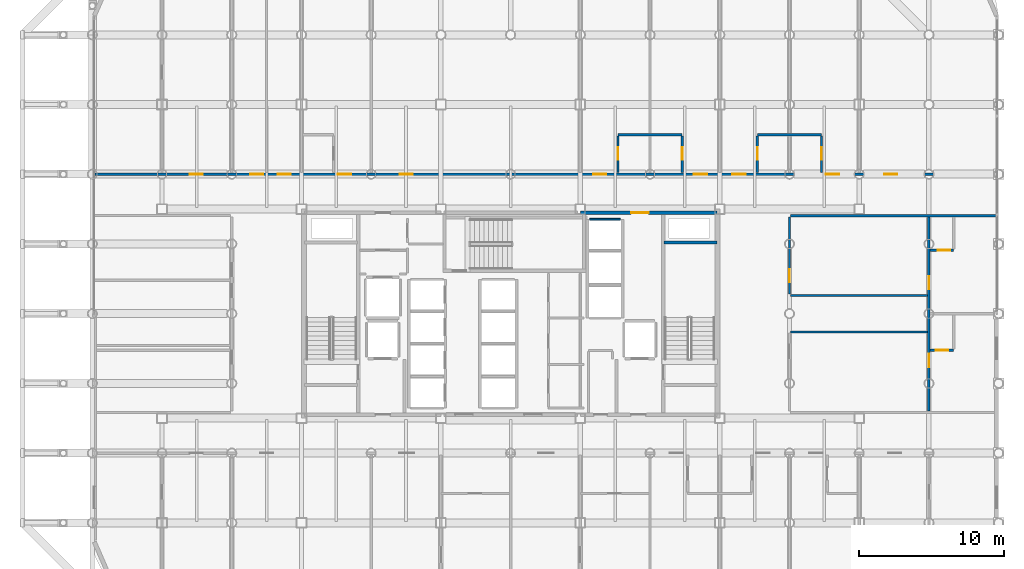
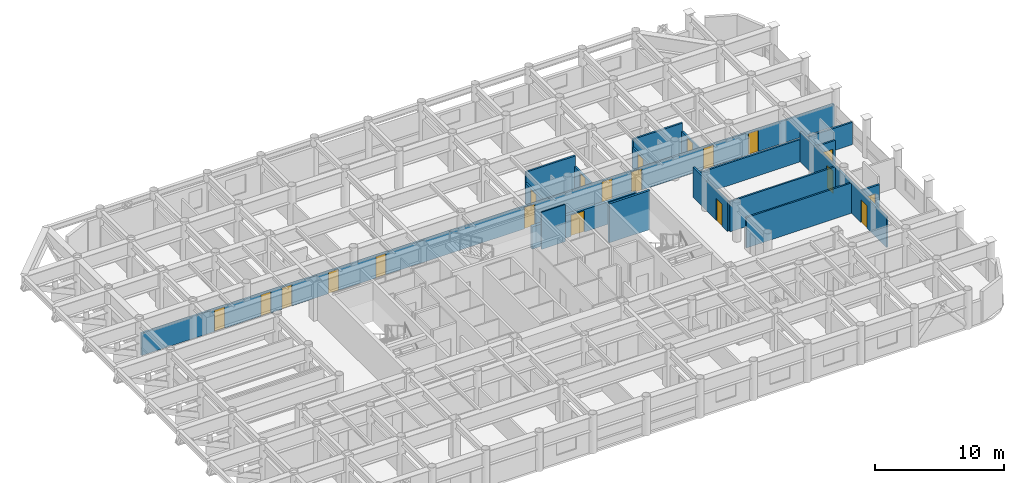
# One storey, part 21 of 23: 20 doors, 17 walls, 20 openings.
"""IFC4 building model written with IfcOpenShell, lengths in metres."""

from ifc_helpers import new_model, si_unit, direction, frame, frame_2d, origin, place, context, subcontext, project, spatial, rectangle, extrude, material, layer, layer_set, type_object, element, fill, save


model = new_model("IFC4")

# Units and contexts
model_context = context("Model", 3, precision=1e-05, world=origin(), true_north=direction((0.0, 1.0)))
body_context = subcontext(model_context, "Body", "Model", "MODEL_VIEW")
ifc_project = project(units=[si_unit("LENGTHUNIT", "METRE"), si_unit("AREAUNIT", "SQUARE_METRE"), si_unit("VOLUMEUNIT", "CUBIC_METRE"), si_unit("PLANEANGLEUNIT", "RADIAN"), si_unit("MASSUNIT", "GRAM", prefix="KILO")], contexts=[model_context])

# Site, building, storey
site_placement = place(None, origin())
site = spatial("IfcSite", under=ifc_project, at=site_placement, CompositionType="ELEMENT")
building_placement = place(site_placement, origin())
building = spatial("IfcBuilding", under=site, at=building_placement, Name="Kallvorn Hotel Tower", CompositionType="ELEMENT")
storey_placement = place(building_placement, frame((0.0, 0.0, 121.10009765625)))
storey = spatial("IfcBuildingStorey", under=building, at=storey_placement, Name="L29", CompositionType="ELEMENT", Elevation=121.10009765625)

# Wall, opening, door
ifc_material_1 = material(Name="Fire-rated double-layer acoustic gypsum drywall EI 60")
ifc_layer_1 = layer(ifc_material_1, 0.159912109375)
ifc_layer_set_1 = layer_set([ifc_layer_1], Name="WL_DEMISE_160")
wall_type_1 = type_object("IfcWallType", Name="WL_DEMISE_160", PredefinedType="PARTITIONING", material=ifc_layer_set_1)
wall_1_placement = place(storey_placement, frame((28.8798828125, -2.52490234375, 0.0), z_axis=(0.0, 0.0, 1.0), x_axis=(1.0, 0.0, 0.0)))
wall_1 = element("IfcWall", 1, at=wall_1_placement, inside=storey, type_object=wall_type_1, Name="L29 Suite 2901 E Loggia King Room Partition", PredefinedType="PARTITIONING", context=body_context, shape_type="SweptSolid", body=[
    extrude(rectangle(XDim=1.6201171875, YDim=0.159912109375, at=frame_2d((0.81005859375, 0.0))), origin(), (0.0, 0.0, 1.0), 2.869873046875),
])
opening_1_placement = place(wall_1_placement, frame((0.3798828125, 0.0, 0.0)))
opening_1 = element("IfcOpeningElement", 2, at=opening_1_placement, cuts=wall_1, Name="Opening BD-I", PredefinedType="OPENING", context=body_context, shape_type="SweptSolid", body=[
    extrude(rectangle(XDim=0.860107421875, YDim=2.10009765625, at=frame_2d((0.43017578125, 1.050048828125))), frame((0.0, 0.094970703125, 0.0), z_axis=(0.0, -1.0, 0.0), x_axis=(1.0, 0.0, 0.0)), (0.0, 0.0, 1.0), 0.18994140625),
])
ifc_material_2 = material(Name="Solid-core walnut veneer fire-rated timber door leaf", Category="wood")
door_type_1 = type_object("IfcDoorType", Name="DR_BATH_860x2100", OperationType="NOTDEFINED", PredefinedType="DOOR", material=ifc_material_2)
door_1_placement = place(opening_1_placement, origin())
door_1 = element("IfcDoor", 3, at=door_1_placement, inside=storey, type_object=door_type_1, Name="L29 Suite 2901 En-Suite Bathroom Door", OperationType="SINGLE_SWING_LEFT", OverallHeight=2.10009765625, OverallWidth=0.860107421875, PredefinedType="DOOR", context=body_context, shape_type="SweptSolid", body=[
    extrude(rectangle(XDim=0.860107421875, YDim=2.10009765625, at=frame_2d((0.43017578125, 1.050048828125))), frame((0.0, 0.02490234375, 0.0), z_axis=(0.0, -1.0, 0.0), x_axis=(1.0, 0.0, 0.0)), (0.0, 0.0, 1.0), 0.050048828125),
])
fill(opening_1, door_1)

wall_2_placement = place(storey_placement, frame((28.8798828125, 4.373291015625, 0.0), z_axis=(0.0, 0.0, 1.0), x_axis=(1.0, 0.0, 0.0)))
wall_2 = element("IfcWall", 4, at=wall_2_placement, inside=storey, type_object=wall_type_1, Name="L29 Suite 2902 E Andean Twin Room Partition", PredefinedType="PARTITIONING", context=body_context, shape_type="SweptSolid", body=[
    extrude(rectangle(XDim=1.6201171875, YDim=0.159912109375, at=frame_2d((0.81005859375, 0.0))), origin(), (0.0, 0.0, 1.0), 2.869873046875),
])
opening_2_placement = place(wall_2_placement, frame((0.5400390625, 0.0, 0.0)))
opening_2 = element("IfcOpeningElement", 5, at=opening_2_placement, cuts=wall_2, Name="Opening BD-I", PredefinedType="OPENING", context=body_context, shape_type="SweptSolid", body=[
    extrude(rectangle(XDim=0.860107421875, YDim=2.10009765625, at=frame_2d((0.43017578125, 1.050048828125))), frame((0.0, 0.094970703125, 0.0), z_axis=(0.0, -1.0, 0.0), x_axis=(1.0, 0.0, 0.0)), (0.0, 0.0, 1.0), 0.18994140625),
])
door_2_placement = place(opening_2_placement, origin())
door_2 = element("IfcDoor", 6, at=door_2_placement, inside=storey, type_object=door_type_1, Name="L29 Suite 2902 En-Suite Bathroom Door", OperationType="SINGLE_SWING_RIGHT", OverallHeight=2.10009765625, OverallWidth=0.860107421875, PredefinedType="DOOR", context=body_context, shape_type="SweptSolid", body=[
    extrude(rectangle(XDim=0.860107421875, YDim=2.10009765625, at=frame_2d((0.43017578125, 1.050048828125))), frame((0.0, 0.02490234375, 0.0), z_axis=(0.0, -1.0, 0.0), x_axis=(1.0, 0.0, 0.0)), (0.0, 0.0, 1.0), 0.050048828125),
])
fill(opening_2, door_2)

# Wall
wall_3_placement = place(storey_placement, frame((19.280029296875, 6.75, 0.0), z_axis=(0.0, 0.0, 1.0), x_axis=(1.0, 0.0, 0.0)))
element("IfcWall", 7, at=wall_3_placement, inside=storey, type_object=wall_type_1, Name="L29 Suite 2902 E Andean Twin Room Partition", PredefinedType="PARTITIONING", context=body_context, shape_type="SweptSolid", body=[
    extrude(rectangle(XDim=14.14990234375, YDim=0.159912109375, at=frame_2d((7.074951171875, 0.0))), origin(), (0.0, 0.0, 1.0), 2.119873046875),
])

# Wall, openings, doors
wall_4_placement = place(storey_placement, frame((-28.6298828125, 9.60009765625, 0.0), z_axis=(0.0, 0.0, 1.0), x_axis=(1.0, 0.0, 0.0)))
wall_4 = element("IfcWall", 8, at=wall_4_placement, inside=storey, type_object=wall_type_1, Name="L29 Suite 2908 Standard Twin Room Partition", PredefinedType="PARTITIONING", context=body_context, shape_type="SweptSolid", body=[
    extrude(rectangle(XDim=62.059814453125, YDim=0.159912109375, at=frame_2d((31.02978515625, 0.0))), origin(), (0.0, 0.0, 1.0), 2.119873046875),
])
opening_3_placement = place(wall_4_placement, frame((6.5400390625, 0.0, 0.0)))
opening_3 = element("IfcOpeningElement", 9, at=opening_3_placement, cuts=wall_4, Name="Opening SVD1A", PredefinedType="OPENING", context=body_context, shape_type="SweptSolid", body=[
    extrude(rectangle(XDim=0.89990234375, YDim=2.02001953125, at=frame_2d((0.449951171875, 1.010009765625))), frame((0.0, 0.094970703125, 0.0), z_axis=(0.0, -1.0, 0.0), x_axis=(1.0, 0.0, 0.0)), (0.0, 0.0, 1.0), 0.18994140625),
])
opening_4_placement = place(wall_4_placement, frame((54.360595703125, 0.0, 0.0)))
opening_4 = element("IfcOpeningElement", 10, at=opening_4_placement, cuts=wall_4, Name="Opening SVD1A", PredefinedType="OPENING", context=body_context, shape_type="SweptSolid", body=[
    extrude(rectangle(XDim=0.89990234375, YDim=2.02001953125, at=frame_2d((0.449951171875, 1.010009765625))), frame((0.0, 0.094970703125, 0.0), z_axis=(0.0, -1.0, 0.0), x_axis=(1.0, 0.0, 0.0)), (0.0, 0.0, 1.0), 0.18994140625),
])
opening_5_placement = place(wall_4_placement, frame((10.68994140625, 0.0, 0.0)))
opening_5 = element("IfcOpeningElement", 11, at=opening_5_placement, cuts=wall_4, Name="Opening SVD1A", PredefinedType="OPENING", context=body_context, shape_type="SweptSolid", body=[
    extrude(rectangle(XDim=0.89990234375, YDim=2.02001953125, at=frame_2d((0.449951171875, 1.010009765625))), frame((0.0, 0.094970703125, 0.0), z_axis=(0.0, -1.0, 0.0), x_axis=(1.0, 0.0, 0.0)), (0.0, 0.0, 1.0), 0.18994140625),
])
opening_6_placement = place(wall_4_placement, frame((12.580078125, 0.0, 0.0)))
opening_6 = element("IfcOpeningElement", 12, at=opening_6_placement, cuts=wall_4, Name="Opening SVD1A", PredefinedType="OPENING", context=body_context, shape_type="SweptSolid", body=[
    extrude(rectangle(XDim=0.89990234375, YDim=2.02001953125, at=frame_2d((0.449951171875, 1.010009765625))), frame((0.0, 0.094970703125, 0.0), z_axis=(0.0, -1.0, 0.0), x_axis=(1.0, 0.0, 0.0)), (0.0, 0.0, 1.0), 0.18994140625),
])
opening_7_placement = place(wall_4_placement, frame((16.739990234375, 0.0, 0.0)))
opening_7 = element("IfcOpeningElement", 13, at=opening_7_placement, cuts=wall_4, Name="Opening GD1A", PredefinedType="OPENING", context=body_context, shape_type="SweptSolid", body=[
    extrude(rectangle(XDim=0.919921875, YDim=2.02001953125, at=frame_2d((0.4599609375, 1.010009765625))), frame((0.0, 0.094970703125, 0.0), z_axis=(0.0, -1.0, 0.0), x_axis=(1.0, 0.0, 0.0)), (0.0, 0.0, 1.0), 0.18994140625),
])
opening_8_placement = place(wall_4_placement, frame((20.97998046875, 0.0, 0.0)))
opening_8 = element("IfcOpeningElement", 14, at=opening_8_placement, cuts=wall_4, Name="Opening SVD1A", PredefinedType="OPENING", context=body_context, shape_type="SweptSolid", body=[
    extrude(rectangle(XDim=0.89990234375, YDim=2.02001953125, at=frame_2d((0.449951171875, 1.010009765625))), frame((0.0, 0.094970703125, 0.0), z_axis=(0.0, -1.0, 0.0), x_axis=(1.0, 0.0, 0.0)), (0.0, 0.0, 1.0), 0.18994140625),
])
opening_9_placement = place(wall_4_placement, frame((34.304931640625, 0.0, 0.0)))
opening_9 = element("IfcOpeningElement", 15, at=opening_9_placement, cuts=wall_4, Name="Opening GD1A", PredefinedType="OPENING", context=body_context, shape_type="SweptSolid", body=[
    extrude(rectangle(XDim=0.919921875, YDim=2.02001953125, at=frame_2d((0.4599609375, 1.010009765625))), frame((0.0, 0.094970703125, 0.0), z_axis=(0.0, -1.0, 0.0), x_axis=(1.0, 0.0, 0.0)), (0.0, 0.0, 1.0), 0.18994140625),
])
opening_10_placement = place(wall_4_placement, frame((41.235107421875, 0.0, 0.0)))
opening_10 = element("IfcOpeningElement", 16, at=opening_10_placement, cuts=wall_4, Name="Opening GD1A", PredefinedType="OPENING", context=body_context, shape_type="SweptSolid", body=[
    extrude(rectangle(XDim=0.919921875, YDim=2.02001953125, at=frame_2d((0.4599609375, 1.010009765625))), frame((0.0, 0.094970703125, 0.0), z_axis=(0.0, -1.0, 0.0), x_axis=(1.0, 0.0, 0.0)), (0.0, 0.0, 1.0), 0.18994140625),
])
opening_11_placement = place(wall_4_placement, frame((43.905029296875, 0.0, 0.0)))
opening_11 = element("IfcOpeningElement", 17, at=opening_11_placement, cuts=wall_4, Name="Opening GD1A", PredefinedType="OPENING", context=body_context, shape_type="SweptSolid", body=[
    extrude(rectangle(XDim=0.919921875, YDim=2.02001953125, at=frame_2d((0.4599609375, 1.010009765625))), frame((0.0, 0.094970703125, 0.0), z_axis=(0.0, -1.0, 0.0), x_axis=(1.0, 0.0, 0.0)), (0.0, 0.0, 1.0), 0.18994140625),
])
opening_12_placement = place(wall_4_placement, frame((50.340087890625, 0.0, 0.0)))
opening_12 = element("IfcOpeningElement", 18, at=opening_12_placement, cuts=wall_4, Name="Opening GD1A", PredefinedType="OPENING", context=body_context, shape_type="SweptSolid", body=[
    extrude(rectangle(XDim=0.919921875, YDim=2.02001953125, at=frame_2d((0.4599609375, 1.010009765625))), frame((0.0, 0.094970703125, 0.0), z_axis=(0.0, -1.0, 0.0), x_axis=(1.0, 0.0, 0.0)), (0.0, 0.0, 1.0), 0.18994140625),
])
ifc_material_3 = material(Name="Solid-core walnut veneer fire-rated timber door leaf", Category="wood")
door_type_2 = type_object("IfcDoorType", Name="DR_GUEST_920x2020", OperationType="NOTDEFINED", PredefinedType="DOOR", material=ifc_material_3)
door_3_placement = place(opening_7_placement, origin())
door_3 = element("IfcDoor", 19, at=door_3_placement, inside=storey, type_object=door_type_2, Name="L29 Suite 2908 Standard Twin Room Door", OperationType="SINGLE_SWING_LEFT", OverallHeight=2.02001953125, OverallWidth=0.919921875, PredefinedType="DOOR", context=body_context, shape_type="SweptSolid", body=[
    extrude(rectangle(XDim=0.919921875, YDim=2.02001953125, at=frame_2d((0.4599609375, 1.010009765625))), frame((0.0, 0.02490234375, 0.0), z_axis=(0.0, -1.0, 0.0), x_axis=(1.0, 0.0, 0.0)), (0.0, 0.0, 1.0), 0.050048828125),
])
fill(opening_7, door_3)
door_4_placement = place(opening_9_placement, origin())
door_4 = element("IfcDoor", 20, at=door_4_placement, inside=storey, type_object=door_type_2, Name="L29 Suite 2909 Standard Twin Room Door", OperationType="SINGLE_SWING_LEFT", OverallHeight=2.02001953125, OverallWidth=0.919921875, PredefinedType="DOOR", context=body_context, shape_type="SweptSolid", body=[
    extrude(rectangle(XDim=0.919921875, YDim=2.02001953125, at=frame_2d((0.4599609375, 1.010009765625))), frame((0.0, 0.02490234375, 0.0), z_axis=(0.0, -1.0, 0.0), x_axis=(1.0, 0.0, 0.0)), (0.0, 0.0, 1.0), 0.050048828125),
])
fill(opening_9, door_4)
door_5_placement = place(opening_10_placement, origin())
door_5 = element("IfcDoor", 21, at=door_5_placement, inside=storey, type_object=door_type_2, Name="L29 Suite 2910 Standard Twin Room Door", OperationType="SINGLE_SWING_LEFT", OverallHeight=2.02001953125, OverallWidth=0.919921875, PredefinedType="DOOR", context=body_context, shape_type="SweptSolid", body=[
    extrude(rectangle(XDim=0.919921875, YDim=2.02001953125, at=frame_2d((0.4599609375, 1.010009765625))), frame((0.0, 0.02490234375, 0.0), z_axis=(0.0, -1.0, 0.0), x_axis=(1.0, 0.0, 0.0)), (0.0, 0.0, 1.0), 0.050048828125),
])
fill(opening_10, door_5)
door_6_placement = place(opening_11_placement, origin())
door_6 = element("IfcDoor", 22, at=door_6_placement, inside=storey, type_object=door_type_2, Name="L29 Suite 2911 Standard Twin Room Door", OperationType="SINGLE_SWING_LEFT", OverallHeight=2.02001953125, OverallWidth=0.919921875, PredefinedType="DOOR", context=body_context, shape_type="SweptSolid", body=[
    extrude(rectangle(XDim=0.919921875, YDim=2.02001953125, at=frame_2d((0.4599609375, 1.010009765625))), frame((0.0, 0.02490234375, 0.0), z_axis=(0.0, -1.0, 0.0), x_axis=(1.0, 0.0, 0.0)), (0.0, 0.0, 1.0), 0.050048828125),
])
fill(opening_11, door_6)
door_7_placement = place(opening_12_placement, origin())
door_7 = element("IfcDoor", 23, at=door_7_placement, inside=storey, type_object=door_type_2, Name="L29 Suite 2912 Standard Twin Room Door", OperationType="SINGLE_SWING_RIGHT", OverallHeight=2.02001953125, OverallWidth=0.919921875, PredefinedType="DOOR", context=body_context, shape_type="SweptSolid", body=[
    extrude(rectangle(XDim=0.919921875, YDim=2.02001953125, at=frame_2d((0.4599609375, 1.010009765625))), frame((0.0, 0.02490234375, 0.0), z_axis=(0.0, -1.0, 0.0), x_axis=(1.0, 0.0, 0.0)), (0.0, 0.0, 1.0), 0.050048828125),
])
fill(opening_12, door_7)
ifc_material_4 = material(Name="Galvanised painted steel fire-rated door assembly", Category="steel")
door_type_3 = type_object("IfcDoorType", Name="DR_SERV_900x2020", OperationType="NOTDEFINED", PredefinedType="DOOR", material=ifc_material_4)
door_8_placement = place(opening_3_placement, origin())
door_8 = element("IfcDoor", 24, at=door_8_placement, inside=storey, type_object=door_type_3, Name="L29 L29 North-West Fitness Gymnasium B Door", OperationType="SINGLE_SWING_RIGHT", OverallHeight=2.02001953125, OverallWidth=0.89990234375, PredefinedType="DOOR", context=body_context, shape_type="SweptSolid", body=[
    extrude(rectangle(XDim=0.89990234375, YDim=2.02001953125, at=frame_2d((0.449951171875, 1.010009765625))), frame((0.0, 0.02490234375, 0.0), z_axis=(0.0, -1.0, 0.0), x_axis=(1.0, 0.0, 0.0)), (0.0, 0.0, 1.0), 0.050048828125),
])
fill(opening_3, door_8)
door_9_placement = place(opening_4_placement, origin())
door_9 = element("IfcDoor", 25, at=door_9_placement, inside=storey, type_object=door_type_3, Name="L29 L29 North-East Reading Club Door", OperationType="SINGLE_SWING_RIGHT", OverallHeight=2.02001953125, OverallWidth=0.89990234375, PredefinedType="DOOR", context=body_context, shape_type="SweptSolid", body=[
    extrude(rectangle(XDim=0.89990234375, YDim=2.02001953125, at=frame_2d((0.449951171875, 1.010009765625))), frame((0.0, 0.02490234375, 0.0), z_axis=(0.0, -1.0, 0.0), x_axis=(1.0, 0.0, 0.0)), (0.0, 0.0, 1.0), 0.050048828125),
])
fill(opening_4, door_9)
door_10_placement = place(opening_5_placement, origin())
door_10 = element("IfcDoor", 26, at=door_10_placement, inside=storey, type_object=door_type_3, Name="L29 Housekeeping and Linen Room Door", OperationType="SINGLE_SWING_LEFT", OverallHeight=2.02001953125, OverallWidth=0.89990234375, PredefinedType="DOOR", context=body_context, shape_type="SweptSolid", body=[
    extrude(rectangle(XDim=0.89990234375, YDim=2.02001953125, at=frame_2d((0.449951171875, 1.010009765625))), frame((0.0, 0.02490234375, 0.0), z_axis=(0.0, -1.0, 0.0), x_axis=(1.0, 0.0, 0.0)), (0.0, 0.0, 1.0), 0.050048828125),
])
fill(opening_5, door_10)
door_11_placement = place(opening_6_placement, origin())
door_11 = element("IfcDoor", 27, at=door_11_placement, inside=storey, type_object=door_type_3, Name="L29 Guest Tea and Refreshment Bar Door", OperationType="SINGLE_SWING_RIGHT", OverallHeight=2.02001953125, OverallWidth=0.89990234375, PredefinedType="DOOR", context=body_context, shape_type="SweptSolid", body=[
    extrude(rectangle(XDim=0.89990234375, YDim=2.02001953125, at=frame_2d((0.449951171875, 1.010009765625))), frame((0.0, 0.02490234375, 0.0), z_axis=(0.0, -1.0, 0.0), x_axis=(1.0, 0.0, 0.0)), (0.0, 0.0, 1.0), 0.050048828125),
])
fill(opening_6, door_11)
door_12_placement = place(opening_8_placement, origin())
door_12 = element("IfcDoor", 28, at=door_12_placement, inside=storey, type_object=door_type_3, Name="L29 L29 Thermal Hydrotherapy Treatment Suite 3 Door", OperationType="SINGLE_SWING_RIGHT", OverallHeight=2.02001953125, OverallWidth=0.89990234375, PredefinedType="DOOR", context=body_context, shape_type="SweptSolid", body=[
    extrude(rectangle(XDim=0.89990234375, YDim=2.02001953125, at=frame_2d((0.449951171875, 1.010009765625))), frame((0.0, 0.02490234375, 0.0), z_axis=(0.0, -1.0, 0.0), x_axis=(1.0, 0.0, 0.0)), (0.0, 0.0, 1.0), 0.050048828125),
])
fill(opening_8, door_12)

# Walls
wall_5_placement = place(storey_placement, frame((7.389892578125, 12.320068359375, 0.0), z_axis=(0.0, 0.0, 1.0), x_axis=(1.0, 0.0, 0.0)))
element("IfcWall", 29, at=wall_5_placement, inside=storey, type_object=wall_type_1, Name="L29 Suite 2909 Standard Twin Room Partition", PredefinedType="PARTITIONING", context=body_context, shape_type="SweptSolid", body=[
    extrude(rectangle(XDim=4.420166015625, YDim=0.159912109375, at=frame_2d((2.2099609375, 0.0))), origin(), (0.0, 0.0, 1.0), 3.119873046875),
])
wall_6_placement = place(storey_placement, frame((16.989990234375, 12.320068359375, 0.0), z_axis=(0.0, 0.0, 1.0), x_axis=(1.0, 0.0, 0.0)))
element("IfcWall", 30, at=wall_6_placement, inside=storey, type_object=wall_type_1, Name="L29 Suite 2911 Standard Twin Room Partition", PredefinedType="PARTITIONING", context=body_context, shape_type="SweptSolid", body=[
    extrude(rectangle(XDim=4.419921875, YDim=0.159912109375, at=frame_2d((2.2099609375, 0.0))), origin(), (0.0, 0.0, 1.0), 2.869873046875),
])

# Wall, opening, door
wall_7_placement = place(storey_placement, frame((7.389892578125, 9.719970703125, 0.0), z_axis=(0.0, 0.0, 1.0), x_axis=(0.0, 1.0, 0.0)))
wall_7 = element("IfcWall", 31, at=wall_7_placement, inside=storey, type_object=wall_type_1, Name="L29 Suite 2909 Standard Twin Room Partition", PredefinedType="PARTITIONING", context=body_context, shape_type="SweptSolid", body=[
    extrude(rectangle(XDim=2.51513671875, YDim=0.159912109375, at=frame_2d((1.257568359375, 0.0))), origin(), (0.0, 0.0, 1.0), 2.119873046875),
])
opening_13_placement = place(wall_7_placement, frame((0.8701171875, 0.0, 0.0)))
opening_13 = element("IfcOpeningElement", 32, at=opening_13_placement, cuts=wall_7, Name="Opening BD-IA", PredefinedType="OPENING", context=body_context, shape_type="SweptSolid", body=[
    extrude(rectangle(XDim=0.860107421875, YDim=2.02001953125, at=frame_2d((0.43017578125, 1.010009765625))), frame((0.0, 0.094970703125, 0.0), z_axis=(0.0, -1.0, 0.0), x_axis=(1.0, 0.0, 0.0)), (0.0, 0.0, 1.0), 0.18994140625),
])
ifc_material_5 = material(Name="Solid-core walnut veneer fire-rated timber door leaf", Category="wood")
door_type_4 = type_object("IfcDoorType", Name="DR_BATH_860x2020", OperationType="NOTDEFINED", PredefinedType="DOOR", material=ifc_material_5)
door_13_placement = place(opening_13_placement, origin())
door_13 = element("IfcDoor", 33, at=door_13_placement, inside=storey, type_object=door_type_4, Name="L29 Suite 2909 En-Suite Bathroom Door", OperationType="SINGLE_SWING_RIGHT", OverallHeight=2.02001953125, OverallWidth=0.860107421875, PredefinedType="DOOR", context=body_context, shape_type="SweptSolid", body=[
    extrude(rectangle(XDim=0.860107421875, YDim=2.02001953125, at=frame_2d((0.43017578125, 1.010009765625))), frame((0.0, 0.02490234375, 0.0), z_axis=(0.0, -1.0, 0.0), x_axis=(1.0, 0.0, 0.0)), (0.0, 0.0, 1.0), 0.050048828125),
])
fill(opening_13, door_13)

wall_8_placement = place(storey_placement, frame((11.81005859375, 9.719970703125, 0.0), z_axis=(0.0, 0.0, 1.0), x_axis=(0.0, 1.0, 0.0)))
wall_8 = element("IfcWall", 34, at=wall_8_placement, inside=storey, type_object=wall_type_1, Name="L29 Suite 2910 Standard Twin Room Partition", PredefinedType="PARTITIONING", context=body_context, shape_type="SweptSolid", body=[
    extrude(rectangle(XDim=2.51513671875, YDim=0.159912109375, at=frame_2d((1.257568359375, 0.0))), origin(), (0.0, 0.0, 1.0), 2.119873046875),
])
opening_14_placement = place(wall_8_placement, frame((0.8701171875, 0.0, 0.0)))
opening_14 = element("IfcOpeningElement", 35, at=opening_14_placement, cuts=wall_8, Name="Opening BD-IA", PredefinedType="OPENING", context=body_context, shape_type="SweptSolid", body=[
    extrude(rectangle(XDim=0.860107421875, YDim=2.02001953125, at=frame_2d((0.43017578125, 1.010009765625))), frame((0.0, 0.094970703125, 0.0), z_axis=(0.0, -1.0, 0.0), x_axis=(1.0, 0.0, 0.0)), (0.0, 0.0, 1.0), 0.18994140625),
])
door_14_placement = place(opening_14_placement, origin())
door_14 = element("IfcDoor", 36, at=door_14_placement, inside=storey, type_object=door_type_4, Name="L29 Suite 2910 En-Suite Bathroom Door", OperationType="SINGLE_SWING_RIGHT", OverallHeight=2.02001953125, OverallWidth=0.860107421875, PredefinedType="DOOR", context=body_context, shape_type="SweptSolid", body=[
    extrude(rectangle(XDim=0.860107421875, YDim=2.02001953125, at=frame_2d((0.43017578125, 1.010009765625))), frame((0.0, 0.02490234375, 0.0), z_axis=(0.0, -1.0, 0.0), x_axis=(1.0, 0.0, 0.0)), (0.0, 0.0, 1.0), 0.050048828125),
])
fill(opening_14, door_14)

wall_9_placement = place(storey_placement, frame((16.989990234375, 9.719970703125, 0.0), z_axis=(0.0, 0.0, 1.0), x_axis=(0.0, 1.0, 0.0)))
wall_9 = element("IfcWall", 37, at=wall_9_placement, inside=storey, type_object=wall_type_1, Name="L29 Suite 2911 Standard Twin Room Partition", PredefinedType="PARTITIONING", context=body_context, shape_type="SweptSolid", body=[
    extrude(rectangle(XDim=2.51513671875, YDim=0.159912109375, at=frame_2d((1.257568359375, 0.0))), origin(), (0.0, 0.0, 1.0), 2.119873046875),
])
opening_15_placement = place(wall_9_placement, frame((0.8701171875, 0.0, 0.0)))
opening_15 = element("IfcOpeningElement", 38, at=opening_15_placement, cuts=wall_9, Name="Opening BD-IA", PredefinedType="OPENING", context=body_context, shape_type="SweptSolid", body=[
    extrude(rectangle(XDim=0.860107421875, YDim=2.02001953125, at=frame_2d((0.43017578125, 1.010009765625))), frame((0.0, 0.094970703125, 0.0), z_axis=(0.0, -1.0, 0.0), x_axis=(1.0, 0.0, 0.0)), (0.0, 0.0, 1.0), 0.18994140625),
])
door_15_placement = place(opening_15_placement, origin())
door_15 = element("IfcDoor", 39, at=door_15_placement, inside=storey, type_object=door_type_4, Name="L29 Suite 2911 En-Suite Bathroom Door", OperationType="SINGLE_SWING_LEFT", OverallHeight=2.02001953125, OverallWidth=0.860107421875, PredefinedType="DOOR", context=body_context, shape_type="SweptSolid", body=[
    extrude(rectangle(XDim=0.860107421875, YDim=2.02001953125, at=frame_2d((0.43017578125, 1.010009765625))), frame((0.0, 0.02490234375, 0.0), z_axis=(0.0, -1.0, 0.0), x_axis=(1.0, 0.0, 0.0)), (0.0, 0.0, 1.0), 0.050048828125),
])
fill(opening_15, door_15)

wall_10_placement = place(storey_placement, frame((21.409912109375, 9.719970703125, 0.0), z_axis=(0.0, 0.0, 1.0), x_axis=(0.0, 1.0, 0.0)))
wall_10 = element("IfcWall", 40, at=wall_10_placement, inside=storey, type_object=wall_type_1, Name="L29 Suite 2912 Standard Twin Room Partition", PredefinedType="PARTITIONING", context=body_context, shape_type="SweptSolid", body=[
    extrude(rectangle(XDim=2.51513671875, YDim=0.159912109375, at=frame_2d((1.257568359375, 0.0))), origin(), (0.0, 0.0, 1.0), 2.119873046875),
])
opening_16_placement = place(wall_10_placement, frame((0.8701171875, 0.0, 0.0)))
opening_16 = element("IfcOpeningElement", 41, at=opening_16_placement, cuts=wall_10, Name="Opening BD-IA", PredefinedType="OPENING", context=body_context, shape_type="SweptSolid", body=[
    extrude(rectangle(XDim=0.860107421875, YDim=2.02001953125, at=frame_2d((0.43017578125, 1.010009765625))), frame((0.0, 0.094970703125, 0.0), z_axis=(0.0, -1.0, 0.0), x_axis=(1.0, 0.0, 0.0)), (0.0, 0.0, 1.0), 0.18994140625),
])
door_16_placement = place(opening_16_placement, origin())
door_16 = element("IfcDoor", 42, at=door_16_placement, inside=storey, type_object=door_type_4, Name="L29 Suite 2912 En-Suite Bathroom Door", OperationType="SINGLE_SWING_LEFT", OverallHeight=2.02001953125, OverallWidth=0.860107421875, PredefinedType="DOOR", context=body_context, shape_type="SweptSolid", body=[
    extrude(rectangle(XDim=0.860107421875, YDim=2.02001953125, at=frame_2d((0.43017578125, 1.010009765625))), frame((0.0, 0.02490234375, 0.0), z_axis=(0.0, -1.0, 0.0), x_axis=(1.0, 0.0, 0.0)), (0.0, 0.0, 1.0), 0.050048828125),
])
fill(opening_16, door_16)

# Wall, openings, doors
wall_11_placement = place(storey_placement, frame((28.800048828125, -6.715087890625, 0.0), z_axis=(0.0, 0.0, 1.0), x_axis=(0.0, 1.0, 0.0)))
wall_11 = element("IfcWall", 43, at=wall_11_placement, inside=storey, type_object=wall_type_1, Name="L29 Suite 2901 E Loggia King Room Partition", PredefinedType="PARTITIONING", context=body_context, shape_type="SweptSolid", body=[
    extrude(rectangle(XDim=13.380126953125, YDim=0.159912109375, at=frame_2d((6.68994140625, 0.0))), origin(), (0.0, 0.0, 1.0), 2.869873046875),
])
opening_17_placement = place(wall_11_placement, frame((3.034912109375, 0.0, 0.0)))
opening_17 = element("IfcOpeningElement", 44, at=opening_17_placement, cuts=wall_11, Name="Opening GD1", PredefinedType="OPENING", context=body_context, shape_type="SweptSolid", body=[
    extrude(rectangle(XDim=0.919921875, YDim=2.14990234375, at=frame_2d((0.4599609375, 1.074951171875))), frame((0.0, 0.094970703125, 0.0), z_axis=(0.0, -1.0, 0.0), x_axis=(1.0, 0.0, 0.0)), (0.0, 0.0, 1.0), 0.18994140625),
])
opening_18_placement = place(wall_11_placement, frame((8.385009765625, 0.0, 0.0)))
opening_18 = element("IfcOpeningElement", 45, at=opening_18_placement, cuts=wall_11, Name="Opening GD1", PredefinedType="OPENING", context=body_context, shape_type="SweptSolid", body=[
    extrude(rectangle(XDim=0.919921875, YDim=2.14990234375, at=frame_2d((0.4599609375, 1.074951171875))), frame((0.0, 0.094970703125, 0.0), z_axis=(0.0, -1.0, 0.0), x_axis=(1.0, 0.0, 0.0)), (0.0, 0.0, 1.0), 0.18994140625),
])
ifc_material_6 = material(Name="Solid-core walnut veneer fire-rated timber door leaf", Category="wood")
door_type_5 = type_object("IfcDoorType", Name="DR_GUEST_920x2150", OperationType="NOTDEFINED", PredefinedType="DOOR", material=ifc_material_6)
door_17_placement = place(opening_17_placement, origin())
door_17 = element("IfcDoor", 46, at=door_17_placement, inside=storey, type_object=door_type_5, Name="L29 Suite 2901 E Loggia King Room Door", OperationType="SINGLE_SWING_RIGHT", OverallHeight=2.14990234375, OverallWidth=0.919921875, PredefinedType="DOOR", context=body_context, shape_type="SweptSolid", body=[
    extrude(rectangle(XDim=0.919921875, YDim=2.14990234375, at=frame_2d((0.4599609375, 1.074951171875))), frame((0.0, 0.02490234375, 0.0), z_axis=(0.0, -1.0, 0.0), x_axis=(1.0, 0.0, 0.0)), (0.0, 0.0, 1.0), 0.050048828125),
])
fill(opening_17, door_17)
door_18_placement = place(opening_18_placement, origin())
door_18 = element("IfcDoor", 47, at=door_18_placement, inside=storey, type_object=door_type_5, Name="L29 Suite 2902 E Andean Twin Room Door", OperationType="SINGLE_SWING_LEFT", OverallHeight=2.14990234375, OverallWidth=0.919921875, PredefinedType="DOOR", context=body_context, shape_type="SweptSolid", body=[
    extrude(rectangle(XDim=0.919921875, YDim=2.14990234375, at=frame_2d((0.4599609375, 1.074951171875))), frame((0.0, 0.02490234375, 0.0), z_axis=(0.0, -1.0, 0.0), x_axis=(1.0, 0.0, 0.0)), (0.0, 0.0, 1.0), 0.050048828125),
])
fill(opening_18, door_18)

# Walls
ifc_material_7 = material(Name="Concrete C40/50", Category="concrete")
ifc_layer_2 = layer(ifc_material_7, 0.199951171875)
ifc_layer_set_2 = layer_set([ifc_layer_2], Name="WL_HOIST_200")
wall_type_2 = type_object("IfcWallType", Name="WL_HOIST_200", PredefinedType="SOLIDWALL", material=ifc_layer_set_2)
wall_12_placement = place(storey_placement, frame((10.550048828125, 4.89990234375, -0.18017578125), z_axis=(0.0, 0.0, 1.0), x_axis=(1.0, 0.0, 0.0)))
element("IfcWall", 48, at=wall_12_placement, inside=storey, type_object=wall_type_2, Name="L29 Stair ST2 North Wall", PredefinedType="SOLIDWALL", context=body_context, shape_type="SweptSolid", body=[
    extrude(rectangle(XDim=3.64990234375, YDim=0.199951171875, at=frame_2d((1.824951171875, 0.0))), origin(), (0.0, 0.0, 1.0), 3.7001953125),
])
ifc_material_8 = material(Name="Fire-rated double-layer acoustic gypsum drywall EI 60")
ifc_layer_3 = layer(ifc_material_8, 0.1201171875)
ifc_layer_set_3 = layer_set([ifc_layer_3], Name="WL_INT_120")
wall_type_3 = type_object("IfcWallType", Name="WL_INT_120", PredefinedType="PARTITIONING", material=ifc_layer_set_3)
wall_13_placement = place(storey_placement, frame((5.43994140625, 6.5, 0.0), z_axis=(0.0, 0.0, 1.0), x_axis=(1.0, 0.0, 0.0)))
element("IfcWall", 49, at=wall_13_placement, inside=storey, type_object=wall_type_3, Name="L29 OB-03 Hoistway Divider", PredefinedType="PARTITIONING", context=body_context, shape_type="SweptSolid", body=[
    extrude(rectangle(XDim=2.1201171875, YDim=0.1201171875, at=frame_2d((1.06005859375, 0.0))), origin(), (0.0, 0.0, 1.0), 3.52001953125),
])
ifc_material_9 = material(Name="Fire-rated double-layer acoustic gypsum drywall EI 60")
ifc_layer_4 = layer(ifc_material_9, 0.14990234375)
ifc_layer_set_4 = layer_set([ifc_layer_4], Name="WL_PART_150")
wall_type_4 = type_object("IfcWallType", Name="WL_PART_150", PredefinedType="PARTITIONING", material=ifc_layer_set_4)
for number, where, z_axis, x_axis, name in (
    (50, (19.280029296875, -1.260009765625, 0.0), (0.0, 0.0, 1.0), (1.0, 0.0, 0.0), "L29 L29 East Inner Club Bar Partition"),
    (51, (19.280029296875, 1.260009765625, 0.0), (0.0, 0.0, 1.0), (1.0, 0.0, 0.0), "L29 L29 East Inner Screening Salon Partition"),
):
    element("IfcWall", number, at=place(storey_placement, frame(where, z_axis=z_axis, x_axis=x_axis)), inside=storey, type_object=wall_type_4, Name=name, PredefinedType="PARTITIONING", context=body_context, shape_type="SweptSolid", body=[
        extrude(rectangle(XDim=9.43994140625, YDim=0.14990234375, at=frame_2d((4.719970703125, 0.0))), origin(), (0.0, 0.0, 1.0), 2.869873046875),
    ])

# Wall, opening, door
wall_14_placement = place(storey_placement, frame((19.199951171875, 1.344970703125, 0.0), z_axis=(0.0, 0.0, 1.0), x_axis=(0.0, 1.0, 0.0)))
wall_14 = element("IfcWall", 52, at=wall_14_placement, inside=storey, type_object=wall_type_4, Name="L29 L29 East Inner Screening Salon Partition", PredefinedType="PARTITIONING", context=body_context, shape_type="SweptSolid", body=[
    extrude(rectangle(XDim=5.320068359375, YDim=0.14990234375, at=frame_2d((2.66015625, 0.0))), origin(), (0.0, 0.0, 1.0), 2.869873046875),
])
opening_19_placement = place(wall_14_placement, frame((0.81689453125, 0.0, 0.0)))
opening_19 = element("IfcOpeningElement", 53, at=opening_19_placement, cuts=wall_14, Name="Opening SVD1", PredefinedType="OPENING", context=body_context, shape_type="SweptSolid", body=[
    extrude(rectangle(XDim=0.89990234375, YDim=2.10009765625, at=frame_2d((0.449951171875, 1.050048828125))), frame((0.0, 0.08984375, 0.0), z_axis=(0.0, -1.0, 0.0), x_axis=(1.0, 0.0, 0.0)), (0.0, 0.0, 1.0), 0.179931640625),
])
ifc_material_10 = material(Name="Galvanised painted steel fire-rated door assembly", Category="steel")
door_type_6 = type_object("IfcDoorType", Name="DR_SERV_900x2100", OperationType="NOTDEFINED", PredefinedType="DOOR", material=ifc_material_10)
door_19_placement = place(opening_19_placement, origin())
door_19 = element("IfcDoor", 54, at=door_19_placement, inside=storey, type_object=door_type_6, Name="L29 L29 East Inner Screening Salon Door", OperationType="SINGLE_SWING_RIGHT", OverallHeight=2.10009765625, OverallWidth=0.89990234375, PredefinedType="DOOR", context=body_context, shape_type="SweptSolid", body=[
    extrude(rectangle(XDim=0.89990234375, YDim=2.10009765625, at=frame_2d((0.449951171875, 1.050048828125))), frame((0.0, 0.02490234375, 0.0), z_axis=(0.0, -1.0, 0.0), x_axis=(1.0, 0.0, 0.0)), (0.0, 0.0, 1.0), 0.050048828125),
])
fill(opening_19, door_19)

ifc_material_11 = material(Name="Concrete C40/50", Category="concrete")
ifc_layer_5 = layer(ifc_material_11, 0.25)
ifc_layer_set_5 = layer_set([ifc_layer_5], Name="WL_SHAFT_250")
wall_type_5 = type_object("IfcWallType", Name="WL_SHAFT_250", PredefinedType="SOLIDWALL", material=ifc_layer_set_5)
wall_15_placement = place(storey_placement, frame((4.800048828125, 6.949951171875, 0.0), z_axis=(0.0, 0.0, 1.0), x_axis=(1.0, 0.0, 0.0)))
wall_15 = element("IfcWall", 55, at=wall_15_placement, inside=storey, type_object=wall_type_5, Name="L29 Core North-East Wall", PredefinedType="SOLIDWALL", context=body_context, shape_type="SweptSolid", body=[
    extrude(rectangle(XDim=9.39990234375, YDim=0.25, at=frame_2d((4.699951171875, 0.0))), origin(), (0.0, 0.0, 1.0), 2.119873046875),
])
opening_20_placement = place(wall_15_placement, frame((3.5, 0.0, 0.0)))
opening_20 = element("IfcOpeningElement", 56, at=opening_20_placement, cuts=wall_15, Name="Opening FD2A", PredefinedType="OPENING", context=body_context, shape_type="SweptSolid", body=[
    extrude(rectangle(XDim=1.199951171875, YDim=2.02001953125, at=frame_2d((0.60009765625, 1.010009765625))), frame((0.0, 0.139892578125, 0.0), z_axis=(0.0, -1.0, 0.0), x_axis=(1.0, 0.0, 0.0)), (0.0, 0.0, 1.0), 0.280029296875),
])
ifc_material_12 = material(Name="Galvanised painted steel fire-rated door assembly", Category="steel")
door_type_7 = type_object("IfcDoorType", Name="DR_LOBBY_1200x2020", OperationType="DOUBLE_DOOR_SINGLE_SWING", PredefinedType="DOOR", material=ifc_material_12)
door_20_placement = place(opening_20_placement, origin())
door_20 = element("IfcDoor", 57, at=door_20_placement, inside=storey, type_object=door_type_7, Name="L29 Observatory Shuttle Lobby Door", OperationType="DOUBLE_DOOR_SINGLE_SWING", OverallHeight=2.02001953125, OverallWidth=1.199951171875, PredefinedType="DOOR", context=body_context, shape_type="SweptSolid", body=[
    extrude(rectangle(XDim=1.199951171875, YDim=2.02001953125, at=frame_2d((0.60009765625, 1.010009765625))), frame((0.0, 0.02490234375, 0.0), z_axis=(0.0, -1.0, 0.0), x_axis=(1.0, 0.0, 0.0)), (0.0, 0.0, 1.0), 0.050048828125),
])
fill(opening_20, door_20)

save(model, "model.ifc")
